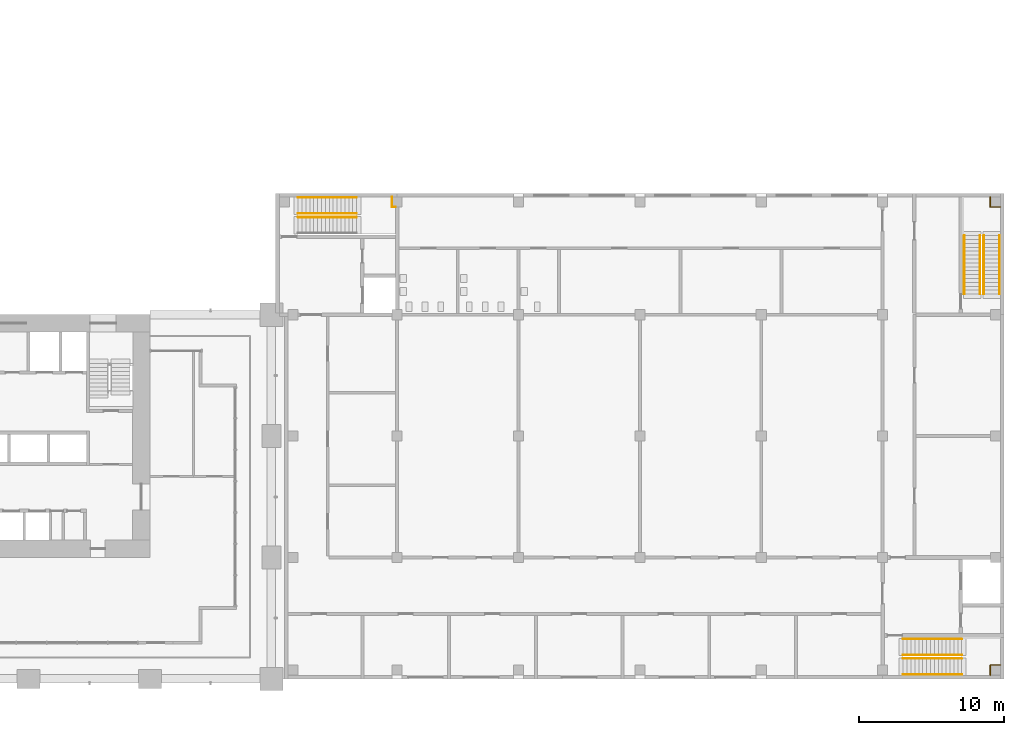
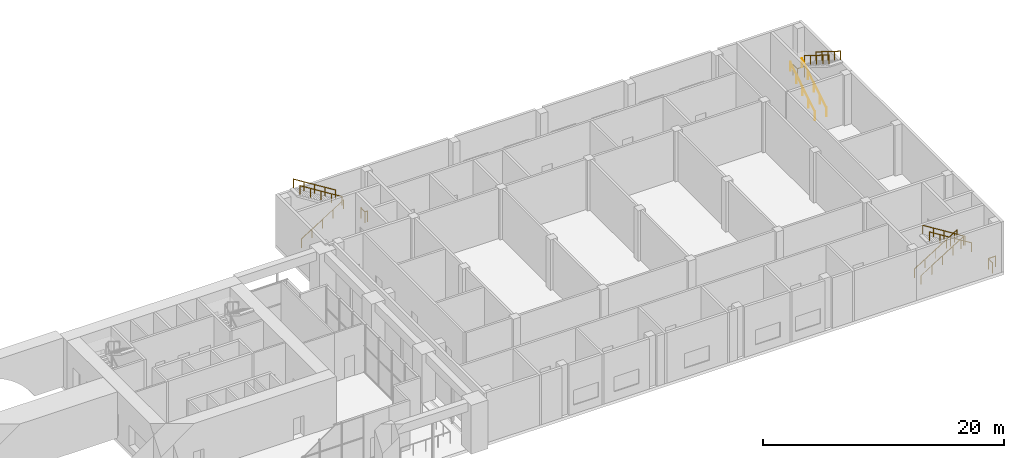
# One storey, part 25 of 26: 14 railings.
"""IFC4 building model written with IfcOpenShell, lengths in metres."""

from ifc_helpers import new_model, si_unit, direction, frame, origin, origin_2d, place, context, subcontext, project, spatial, circle, extrude, material, type_object, element, save


model = new_model("IFC4")

# Units and contexts
model_context = context("Model", 3, precision=1e-05, world=origin(), true_north=direction((0.0, 1.0)))
body_context = subcontext(model_context, "Body", "Model", "MODEL_VIEW")
ifc_project = project(units=[si_unit("LENGTHUNIT", "METRE"), si_unit("AREAUNIT", "SQUARE_METRE"), si_unit("VOLUMEUNIT", "CUBIC_METRE"), si_unit("PLANEANGLEUNIT", "RADIAN"), si_unit("MASSUNIT", "GRAM", prefix="KILO")], contexts=[model_context])

# Site, building, storey
site_placement = place(None, origin())
site = spatial("IfcSite", under=ifc_project, at=site_placement, CompositionType="ELEMENT")
building_placement = place(site_placement, origin())
building = spatial("IfcBuilding", under=site, at=building_placement, Name="Vermilion Gate Residences", CompositionType="ELEMENT")
storey_placement = place(building_placement, frame((0.0, 0.0, 9.0)))
storey = spatial("IfcBuildingStorey", under=building, at=storey_placement, Name="L01", CompositionType="ELEMENT", Elevation=9.0)

# Railings
ifc_material_1 = material(Name="Steel", Category="steel")
railing_type_1 = type_object("IfcRailingType", Name="STEEL GUARD 1100 (MARKET HALL)", PredefinedType="GUARDRAIL", material=ifc_material_1)
railing_1_placement = place(storey_placement, frame((75.77490234375, 32.64990234375, 0.0)))
element("IfcRailing", 1, at=railing_1_placement, inside=storey, type_object=railing_type_1, Name="Stair well end guard A L01", PredefinedType="GUARDRAIL", context=body_context, shape_type="SweptSolid", body=[
    extrude(circle(Radius=0.02490234375, at=origin_2d()), frame((0.0, 0.0, 1.0751953125), z_axis=(-1.0, 0.0, 0.0), x_axis=(0.0, -1.0, 0.0)), (0.0, 0.0, 1.0), 0.224853515625),
    extrude(circle(Radius=0.02490234375, at=origin_2d()), frame((-0.224853515625, 0.0, 1.0751953125), z_axis=(0.0, 1.0, 0.0), x_axis=(-1.0, 0.0, 0.0)), (0.0, 0.0, 1.0), 0.699951171875),
    extrude(circle(Radius=0.02001953125, at=origin_2d()), origin(), (0.0, 0.0, 1.0), 1.050048828125),
    extrude(circle(Radius=0.02001953125, at=origin_2d()), frame((-0.224853515625, 0.0, 0.0)), (0.0, 0.0, 1.0), 1.050048828125),
    extrude(circle(Radius=0.02001953125, at=origin_2d()), frame((-0.224853515625, 0.699951171875, 0.0)), (0.0, 0.0, 1.0), 1.050048828125),
])
railing_2_placement = place(storey_placement, frame((116.949951171875, 0.25, 0.0)))
element("IfcRailing", 2, at=railing_2_placement, inside=storey, type_object=railing_type_1, Name="Stair well end guard B L01", PredefinedType="GUARDRAIL", context=body_context, shape_type="SweptSolid", body=[
    extrude(circle(Radius=0.02490234375, at=origin_2d()), frame((0.0, 0.0, 1.0751953125), z_axis=(0.0, 1.0, 0.0), x_axis=(-1.0, 0.0, 0.0)), (0.0, 0.0, 1.0), 0.699951171875),
    extrude(circle(Radius=0.02490234375, at=origin_2d()), frame((0.0, 0.699951171875, 1.0751953125), z_axis=(1.0, 0.0, 0.0), x_axis=(0.0, 1.0, 0.0)), (0.0, 0.0, 1.0), 0.699951171875),
    extrude(circle(Radius=0.02001953125, at=origin_2d()), origin(), (0.0, 0.0, 1.0), 1.050048828125),
    extrude(circle(Radius=0.02001953125, at=origin_2d()), frame((0.0, 0.699951171875, 0.0)), (0.0, 0.0, 1.0), 1.050048828125),
    extrude(circle(Radius=0.02001953125, at=origin_2d()), frame((0.699951171875, 0.699951171875, 0.0)), (0.0, 0.0, 1.0), 1.050048828125),
])
railing_3_placement = place(storey_placement, frame((117.64990234375, 32.64990234375, 0.0)))
element("IfcRailing", 3, at=railing_3_placement, inside=storey, type_object=railing_type_1, Name="Stair well end guard C L01", PredefinedType="GUARDRAIL", context=body_context, shape_type="SweptSolid", body=[
    extrude(circle(Radius=0.02490234375, at=origin_2d()), frame((0.0, 0.0, 1.0751953125), z_axis=(-1.0, 0.0, 0.0), x_axis=(0.0, -1.0, 0.0)), (0.0, 0.0, 1.0), 0.699951171875),
    extrude(circle(Radius=0.02490234375, at=origin_2d()), frame((-0.699951171875, 0.0, 1.0751953125), z_axis=(0.0, 1.0, 0.0), x_axis=(-1.0, 0.0, 0.0)), (0.0, 0.0, 1.0), 0.699951171875),
    extrude(circle(Radius=0.02001953125, at=origin_2d()), origin(), (0.0, 0.0, 1.0), 1.050048828125),
    extrude(circle(Radius=0.02001953125, at=origin_2d()), frame((-0.699951171875, 0.0, 0.0)), (0.0, 0.0, 1.0), 1.050048828125),
    extrude(circle(Radius=0.02001953125, at=origin_2d()), frame((-0.699951171875, 0.699951171875, 0.0)), (0.0, 0.0, 1.0), 1.050048828125),
])
ifc_material_2 = material(Name="Steel", Category="steel")
railing_type_2 = type_object("IfcRailingType", Name="STEEL HANDRAIL 900 (MARKET HALL)", PredefinedType="HANDRAIL", material=ifc_material_2)
railing_4_placement = place(storey_placement, frame((69.050048828125, 31.949951171875, 0.168701171875)))
element("IfcRailing", 4, at=railing_4_placement, inside=storey, type_object=railing_type_2, Name="Stair handrail STH1-01-1b", PredefinedType="HANDRAIL", context=body_context, shape_type="SweptSolid", body=[
    extrude(circle(Radius=0.0224609375, at=origin_2d()), frame((0.0, 0.0, 0.87744140625), z_axis=(0.848001175806, 0.0, 0.529994345094), x_axis=(0.0, 1.0, 0.0)), (0.0, 0.0, 1.0), 4.77587890625),
    extrude(circle(Radius=0.02001953125, at=origin_2d()), origin(), (0.0, 0.0, 1.0), 0.85498046875),
    extrude(circle(Radius=0.02001953125, at=origin_2d()), frame((1.012451171875, 0.0, 0.6328125)), (0.0, 0.0, 1.0), 0.85498046875),
    extrude(circle(Radius=0.02001953125, at=origin_2d()), frame((2.02490234375, 0.0, 1.265625)), (0.0, 0.0, 1.0), 0.85498046875),
    extrude(circle(Radius=0.02001953125, at=origin_2d()), frame((3.03759765625, 0.0, 1.8984375)), (0.0, 0.0, 1.0), 0.85498046875),
    extrude(circle(Radius=0.02001953125, at=origin_2d()), frame((4.050048828125, 0.0, 2.53125)), (0.0, 0.0, 1.0), 0.85498046875),
])
for number, where, name in (
    (5, (73.10009765625, 32.199951171875, 2.86865234375), "Stair handrail STH1-01-2a"),
    (6, (73.10009765625, 33.300048828125, 2.86865234375), "Stair handrail STH1-01-2b"),
):
    element("IfcRailing", number, at=place(storey_placement, frame(where)), inside=storey, type_object=railing_type_2, Name=name, PredefinedType="HANDRAIL", context=body_context, shape_type="SweptSolid", body=[
        extrude(circle(Radius=0.0224609375, at=origin_2d()), frame((0.0, 0.0, 0.87744140625), z_axis=(-0.848001175806, 0.0, 0.529994345094), x_axis=(0.0, -1.0, 0.0)), (0.0, 0.0, 1.0), 4.77587890625),
        extrude(circle(Radius=0.02001953125, at=origin_2d()), origin(), (0.0, 0.0, 1.0), 0.85498046875),
        extrude(circle(Radius=0.02001953125, at=origin_2d()), frame((-1.012451171875, 0.0, 0.6328125)), (0.0, 0.0, 1.0), 0.85498046875),
        extrude(circle(Radius=0.02001953125, at=origin_2d()), frame((-2.02490234375, 0.0, 1.265625)), (0.0, 0.0, 1.0), 0.85498046875),
        extrude(circle(Radius=0.02001953125, at=origin_2d()), frame((-3.03759765625, 0.0, 1.8984375)), (0.0, 0.0, 1.0), 0.85498046875),
        extrude(circle(Radius=0.02001953125, at=origin_2d()), frame((-4.050048828125, 0.0, 2.53125)), (0.0, 0.0, 1.0), 0.85498046875),
    ])
for number, where, name in (
    (7, (110.925048828125, 2.75, 0.168701171875), "Stair handrail STH2-01-1a"),
    (8, (110.925048828125, 1.64990234375, 0.168701171875), "Stair handrail STH2-01-1b"),
):
    element("IfcRailing", number, at=place(storey_placement, frame(where)), inside=storey, type_object=railing_type_2, Name=name, PredefinedType="HANDRAIL", context=body_context, shape_type="SweptSolid", body=[
        extrude(circle(Radius=0.0224609375, at=origin_2d()), frame((0.0, 0.0, 0.87744140625), z_axis=(0.848001175806, 0.0, 0.529994345094), x_axis=(0.0, 1.0, 0.0)), (0.0, 0.0, 1.0), 4.77587890625),
        extrude(circle(Radius=0.02001953125, at=origin_2d()), origin(), (0.0, 0.0, 1.0), 0.85498046875),
        extrude(circle(Radius=0.02001953125, at=origin_2d()), frame((1.012451171875, 0.0, 0.6328125)), (0.0, 0.0, 1.0), 0.85498046875),
        extrude(circle(Radius=0.02001953125, at=origin_2d()), frame((2.02490234375, 0.0, 1.265625)), (0.0, 0.0, 1.0), 0.85498046875),
        extrude(circle(Radius=0.02001953125, at=origin_2d()), frame((3.03759765625, 0.0, 1.8984375)), (0.0, 0.0, 1.0), 0.85498046875),
        extrude(circle(Radius=0.02001953125, at=origin_2d()), frame((4.050048828125, 0.0, 2.53125)), (0.0, 0.0, 1.0), 0.85498046875),
    ])
for number, where, name in (
    (9, (114.97509765625, 1.39990234375, 2.86865234375), "Stair handrail STH2-01-2a"),
    (10, (114.97509765625, 0.300048828125, 2.86865234375), "Stair handrail STH2-01-2b"),
):
    element("IfcRailing", number, at=place(storey_placement, frame(where)), inside=storey, type_object=railing_type_2, Name=name, PredefinedType="HANDRAIL", context=body_context, shape_type="SweptSolid", body=[
        extrude(circle(Radius=0.0224609375, at=origin_2d()), frame((0.0, 0.0, 0.87744140625), z_axis=(-0.848001175806, 0.0, 0.529994345094), x_axis=(0.0, -1.0, 0.0)), (0.0, 0.0, 1.0), 4.77587890625),
        extrude(circle(Radius=0.02001953125, at=origin_2d()), origin(), (0.0, 0.0, 1.0), 0.85498046875),
        extrude(circle(Radius=0.02001953125, at=origin_2d()), frame((-1.012451171875, 0.0, 0.6328125)), (0.0, 0.0, 1.0), 0.85498046875),
        extrude(circle(Radius=0.02001953125, at=origin_2d()), frame((-2.02490234375, 0.0, 1.265625)), (0.0, 0.0, 1.0), 0.85498046875),
        extrude(circle(Radius=0.02001953125, at=origin_2d()), frame((-3.03759765625, 0.0, 1.8984375)), (0.0, 0.0, 1.0), 0.85498046875),
        extrude(circle(Radius=0.02001953125, at=origin_2d()), frame((-4.050048828125, 0.0, 2.53125)), (0.0, 0.0, 1.0), 0.85498046875),
    ])
for number, where, name in (
    (11, (115.14990234375, 26.625, 0.168701171875), "Stair handrail STH3-01-1a"),
    (12, (116.25, 26.625, 0.168701171875), "Stair handrail STH3-01-1b"),
):
    element("IfcRailing", number, at=place(storey_placement, frame(where)), inside=storey, type_object=railing_type_2, Name=name, PredefinedType="HANDRAIL", context=body_context, shape_type="SweptSolid", body=[
        extrude(circle(Radius=0.0224609375, at=origin_2d()), frame((0.0, 0.0, 0.87744140625), z_axis=(0.0, 0.848001175806, 0.529994345094), x_axis=(-1.0, 0.0, 0.0)), (0.0, 0.0, 1.0), 4.77587890625),
        extrude(circle(Radius=0.02001953125, at=origin_2d()), origin(), (0.0, 0.0, 1.0), 0.85498046875),
        extrude(circle(Radius=0.02001953125, at=origin_2d()), frame((0.0, 1.012451171875, 0.6328125)), (0.0, 0.0, 1.0), 0.85498046875),
        extrude(circle(Radius=0.02001953125, at=origin_2d()), frame((0.0, 2.02490234375, 1.265625)), (0.0, 0.0, 1.0), 0.85498046875),
        extrude(circle(Radius=0.02001953125, at=origin_2d()), frame((0.0, 3.03759765625, 1.8984375)), (0.0, 0.0, 1.0), 0.85498046875),
        extrude(circle(Radius=0.02001953125, at=origin_2d()), frame((0.0, 4.050048828125, 2.53125)), (0.0, 0.0, 1.0), 0.85498046875),
    ])
for number, where, name in (
    (13, (116.5, 30.675048828125, 2.86865234375), "Stair handrail STH3-01-2a"),
    (14, (117.60009765625, 30.675048828125, 2.86865234375), "Stair handrail STH3-01-2b"),
):
    element("IfcRailing", number, at=place(storey_placement, frame(where)), inside=storey, type_object=railing_type_2, Name=name, PredefinedType="HANDRAIL", context=body_context, shape_type="SweptSolid", body=[
        extrude(circle(Radius=0.0224609375, at=origin_2d()), frame((0.0, 0.0, 0.87744140625), z_axis=(0.0, -0.848001175806, 0.529994345094), x_axis=(1.0, 0.0, 0.0)), (0.0, 0.0, 1.0), 4.77587890625),
        extrude(circle(Radius=0.02001953125, at=origin_2d()), origin(), (0.0, 0.0, 1.0), 0.85498046875),
        extrude(circle(Radius=0.02001953125, at=origin_2d()), frame((0.0, -1.012451171875, 0.6328125)), (0.0, 0.0, 1.0), 0.85498046875),
        extrude(circle(Radius=0.02001953125, at=origin_2d()), frame((0.0, -2.02490234375, 1.265625)), (0.0, 0.0, 1.0), 0.85498046875),
        extrude(circle(Radius=0.02001953125, at=origin_2d()), frame((0.0, -3.03759765625, 1.8984375)), (0.0, 0.0, 1.0), 0.85498046875),
        extrude(circle(Radius=0.02001953125, at=origin_2d()), frame((0.0, -4.050048828125, 2.53125)), (0.0, 0.0, 1.0), 0.85498046875),
    ])

save(model, "model.ifc")
